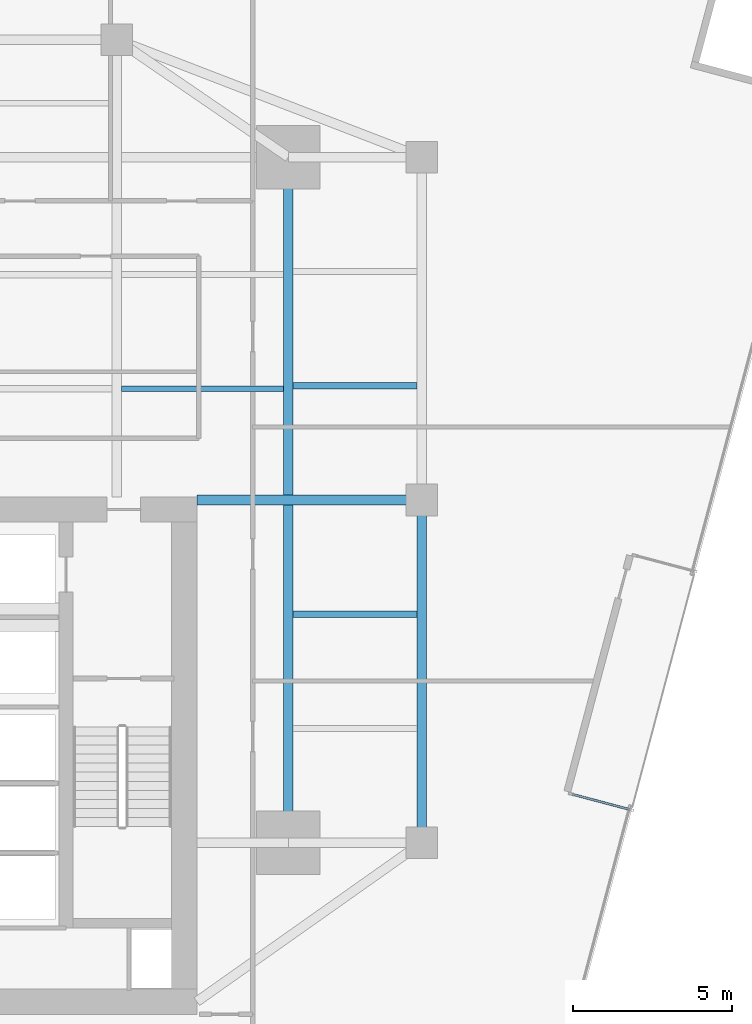
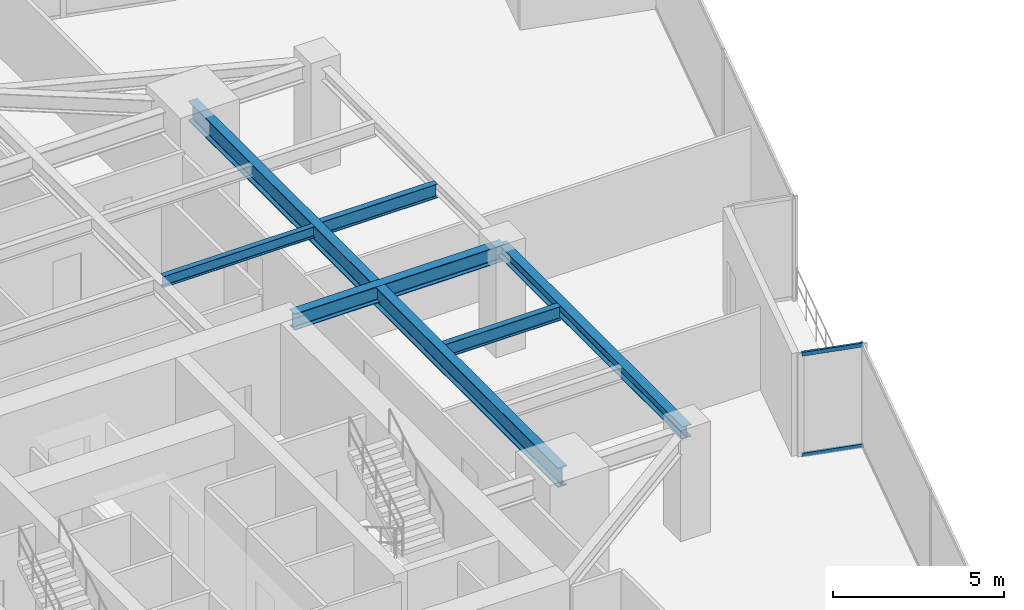
# One storey, part 12 of 27: 6 beams, 2 members, 1 element without a shape of its own.
"""IFC4 building model written with IfcOpenShell, lengths in metres."""

from ifc_helpers import new_model, si_unit, direction, frame, origin, origin_2d, place, context, subcontext, project, spatial, hollow_rectangle, i_section, extrude, source, transform, mapped, material, material_profile, profile_set, type_object, type_shapes, element, aggregate, save


model = new_model("IFC4")

# Units and contexts
model_context = context("Model", 3, precision=1e-05, world=origin(), true_north=direction((0.0, 1.0)))
body_context = subcontext(model_context, "Body", "Model", "MODEL_VIEW")
ifc_project = project(units=[si_unit("LENGTHUNIT", "METRE"), si_unit("AREAUNIT", "SQUARE_METRE"), si_unit("VOLUMEUNIT", "CUBIC_METRE"), si_unit("PLANEANGLEUNIT", "RADIAN"), si_unit("MASSUNIT", "GRAM", prefix="KILO")], contexts=[model_context])

# Site, building, storey
site_placement = place(None, origin())
site = spatial("IfcSite", under=ifc_project, at=site_placement, CompositionType="ELEMENT")
building_placement = place(site_placement, origin())
building = spatial("IfcBuilding", under=site, at=building_placement, Name="Krantzveldt Concourse Tower", CompositionType="ELEMENT")
storey_placement = place(building_placement, frame((0.0, 0.0, 97.949951171875)))
storey = spatial("IfcBuildingStorey", under=building, at=storey_placement, Name="L23", CompositionType="ELEMENT", Elevation=97.949951171875)

# Beams
ifc_material_1 = material(Name="Steel S355J2", Category="steel")
ifc_material_profile_1 = material_profile(ifc_material_1, i_section(OverallWidth=0.300048828125, OverallDepth=0.699951171875, WebThickness=0.01708984375, FlangeThickness=0.031982421875, FilletRadius=0.027099609375, at=origin_2d()), Name="Steel S355J2", Category="steel")
ifc_profile_set_1 = profile_set([ifc_material_profile_1], Name="Steel S355J2 - HEB 700")
beam_type_1 = type_object("IfcBeamType", Name="BM-B-HEB700", PredefinedType="BEAM", material=ifc_profile_set_1)
shared_shape_1 = source(origin(), body_context, "Body", "SweptSolid", [
    extrude(i_section(OverallWidth=0.300048828125, OverallDepth=0.699951171875, WebThickness=0.01708984375, FlangeThickness=0.031982421875, FilletRadius=0.027099609375, at=origin_2d()), origin(), (0.0, 0.0, 1.0), 21.60009765625),
])
type_shapes(beam_type_1, [shared_shape_1])
beam_1_placement = place(storey_placement, frame((46.800048828125, 15.89990234375, 3.320068359375), z_axis=(0.0, 1.0, 0.0), x_axis=(-1.0, 0.0, 0.0)))
element("IfcBeam", 1, at=beam_1_placement, inside=storey, type_object=beam_type_1, Name="L23 Tower Girder BG-ME", PredefinedType="BEAM", context=body_context, shape_type="MappedRepresentation", body=[
    mapped(shared_shape_1, transform((0.0, 0.0, 0.0), x_axis=(1.0, 0.0, 0.0), y_axis=(0.0, 1.0, 0.0), z_axis=(0.0, 0.0, 1.0), scale=1.0)),
])
ifc_material_2 = material(Name="Steel S355JR", Category="steel")
ifc_material_profile_2 = material_profile(ifc_material_2, i_section(OverallWidth=0.300048828125, OverallDepth=0.590087890625, WebThickness=0.012939453125, FlangeThickness=0.02490234375, FilletRadius=0.027099609375, at=origin_2d()), Name="Steel S355JR", Category="steel")
ifc_profile_set_2 = profile_set([ifc_material_profile_2], Name="Steel S355JR - HEA 600")
beam_type_2 = type_object("IfcBeamType", Name="BM-B-HEA600", PredefinedType="BEAM", material=ifc_profile_set_2)
shared_shape_2 = source(origin(), body_context, "Body", "SweptSolid", [
    extrude(i_section(OverallWidth=0.300048828125, OverallDepth=0.590087890625, WebThickness=0.012939453125, FlangeThickness=0.02490234375, FilletRadius=0.027099609375, at=origin_2d()), origin(), (0.0, 0.0, 1.0), 7.080078125),
])
type_shapes(beam_type_2, [shared_shape_2])
beam_2_placement = place(storey_placement, frame((43.919921875, 26.699951171875, 3.375), z_axis=(1.0, 0.0, 0.0), x_axis=(0.0, 1.0, 0.0)))
element("IfcBeam", 2, at=beam_2_placement, inside=storey, type_object=beam_type_2, Name="L23 Tower Girder BG-CE2", PredefinedType="BEAM", context=body_context, shape_type="MappedRepresentation", body=[
    mapped(shared_shape_2, transform((0.0, 0.0, 0.0), x_axis=(1.0, 0.0, 0.0), y_axis=(0.0, 1.0, 0.0), z_axis=(0.0, 0.0, 1.0), scale=1.0)),
])
ifc_material_profile_3 = material_profile(ifc_material_2, i_section(OverallWidth=0.300048828125, OverallDepth=0.43994140625, WebThickness=0.011474609375, FlangeThickness=0.02099609375, FilletRadius=0.027099609375, at=origin_2d()), Name="Steel S355JR", Category="steel")
ifc_profile_set_3 = profile_set([ifc_material_profile_3], Name="Steel S355JR - HEA 450")
beam_type_3 = type_object("IfcBeamType", Name="BM-SP-HEA450", PredefinedType="SPANDREL", material=ifc_profile_set_3)
shared_shape_3 = source(origin(), body_context, "Body", "SweptSolid", [
    extrude(i_section(OverallWidth=0.300048828125, OverallDepth=0.43994140625, WebThickness=0.011474609375, FlangeThickness=0.02099609375, FilletRadius=0.027099609375, at=origin_2d()), origin(), (0.0, 0.0, 1.0), 10.800048828125),
])
type_shapes(beam_type_3, [shared_shape_3])
beam_3_placement = place(storey_placement, frame((51.0, 26.699951171875, 3.449951171875), z_axis=(0.0, -1.0, 0.0), x_axis=(1.0, 0.0, 0.0)))
element("IfcBeam", 3, at=beam_3_placement, inside=storey, type_object=beam_type_3, Name="L23 Tower Girder SP-R07", PredefinedType="SPANDREL", context=body_context, shape_type="MappedRepresentation", body=[
    mapped(shared_shape_3, transform((0.0, 0.0, 0.0), x_axis=(1.0, 0.0, 0.0), y_axis=(0.0, 1.0, 0.0), z_axis=(0.0, 0.0, 1.0), scale=1.0)),
])
ifc_material_profile_4 = material_profile(ifc_material_2, i_section(OverallWidth=0.179931640625, OverallDepth=0.39990234375, WebThickness=0.008544921875, FlangeThickness=0.013427734375, FilletRadius=0.02099609375, at=origin_2d()), Name="Steel S355JR", Category="steel")
ifc_profile_set_4 = profile_set([ifc_material_profile_4], Name="Steel S355JR - IPE 400")
beam_type_4 = type_object("IfcBeamType", Name="BM-J-IPE400", PredefinedType="JOIST", material=ifc_profile_set_4)
shared_shape_4 = source(origin(), body_context, "Body", "SweptSolid", [
    extrude(i_section(OverallWidth=0.179931640625, OverallDepth=0.39990234375, WebThickness=0.008544921875, FlangeThickness=0.013427734375, FilletRadius=0.02099609375, at=origin_2d()), origin(), (0.0, 0.0, 1.0), 5.099853515625),
])
type_shapes(beam_type_4, [shared_shape_4])
beam_4_placement = place(storey_placement, frame((41.550048828125, 30.199951171875, 3.469970703125), z_axis=(1.0, 0.0, 0.0), x_axis=(0.0, 1.0, 0.0)))
element("IfcBeam", 4, at=beam_4_placement, inside=storey, type_object=beam_type_4, Name="L23 Secondary Floor Joist JN-E1", PredefinedType="JOIST", context=body_context, shape_type="MappedRepresentation", body=[
    mapped(shared_shape_4, transform((0.0, 0.0, 0.0), x_axis=(1.0, 0.0, 0.0), y_axis=(0.0, 1.0, 0.0), z_axis=(0.0, 0.0, 1.0), scale=1.0)),
])
ifc_material_profile_5 = material_profile(ifc_material_2, i_section(OverallWidth=0.199951171875, OverallDepth=0.5, WebThickness=0.01025390625, FlangeThickness=0.01611328125, FilletRadius=0.02099609375, at=origin_2d()), Name="Steel S355JR", Category="steel")
ifc_profile_set_5 = profile_set([ifc_material_profile_5], Name="Steel S355JR - IPE 500")
beam_type_5 = type_object("IfcBeamType", Name="BM-J-IPE500", PredefinedType="JOIST", material=ifc_profile_set_5)
shared_shape_5 = source(origin(), body_context, "Body", "SweptSolid", [
    extrude(i_section(OverallWidth=0.199951171875, OverallDepth=0.5, WebThickness=0.01025390625, FlangeThickness=0.01611328125, FilletRadius=0.02099609375, at=origin_2d()), origin(), (0.0, 0.0, 1.0), 3.900146484375),
])
type_shapes(beam_type_5, [shared_shape_5])
for number, where, z_axis, x_axis, name in (
    (5, (46.949951171875, 23.10009765625, 3.420166015625), (1.0, 0.0, 0.0), (0.0, 1.0, 0.0), "L23 Secondary Floor Joist JE-2"),
    (6, (46.949951171875, 30.300048828125, 3.420166015625), (1.0, 0.0, 0.0), (0.0, 1.0, 0.0), "L23 Secondary Floor Joist JE-3"),
):
    element("IfcBeam", number, at=place(storey_placement, frame(where, z_axis=z_axis, x_axis=x_axis)), inside=storey, type_object=beam_type_5, Name=name, PredefinedType="JOIST", context=body_context, shape_type="MappedRepresentation", body=[
        mapped(shared_shape_5, transform((0.0, 0.0, 0.0), x_axis=(1.0, 0.0, 0.0), y_axis=(0.0, 1.0, 0.0), z_axis=(0.0, 0.0, 1.0), scale=1.0)),
    ])

# Curtain wall, members
ifc_material_3 = material(Name="Anodised aluminium 6063-T6", Category="aluminium")
curtain_wall_type = type_object("IfcCurtainWallType", Name="CW6", PredefinedType="USERDEFINED", material=ifc_material_3)
curtain_wall_placement = place(storey_placement, origin())
curtain_wall = element("IfcCurtainWall", 7, at=curtain_wall_placement, inside=storey, type_object=curtain_wall_type, Name="CW-L23-TR08", ObjectType="UNITISED CURTAIN WALL", PredefinedType="USERDEFINED")
ifc_material_profile_6 = material_profile(ifc_material_3, hollow_rectangle(XDim=0.070068359375, YDim=0.139892578125, WallThickness=0.0048828125, at=origin_2d()), Name="Anodised aluminium 6063-T6", Category="aluminium")
ifc_profile_set_6 = profile_set([ifc_material_profile_6], Name="Anodised aluminium 6063-T6 - ALU-TRAN 140x70x5")
member_type = type_object("IfcMemberType", Name="CW-TRN-150", PredefinedType="USERDEFINED", material=ifc_profile_set_6)
shared_shape_6 = source(origin(), body_context, "Body", "SweptSolid", [
    extrude(hollow_rectangle(XDim=0.070068359375, YDim=0.139892578125, WallThickness=0.0048828125, at=origin_2d()), origin(), (0.0, 0.0, 1.0), 1.85986328125),
])
type_shapes(member_type, [shared_shape_6])
member_1_placement = place(storey_placement, frame((57.549560546875, 16.951171875, 0.03515625), z_axis=(-0.966478511145, 0.256747517018, 0.0), x_axis=(-0.256747517018, -0.966478511145, 0.0)))
member_1 = element("IfcMember", 8, at=member_1_placement, type_object=member_type, Name="CW-TERR transom 1.1", ObjectType="TRANSOM", PredefinedType="USERDEFINED", context=body_context, shape_type="MappedRepresentation", body=[
    mapped(shared_shape_6, transform((0.0, 0.0, 0.0), x_axis=(1.0, 0.0, 0.0), y_axis=(0.0, 1.0, 0.0), z_axis=(0.0, 0.0, 1.0), scale=1.0)),
])
member_2_placement = place(storey_placement, frame((57.549560546875, 16.951171875, 3.635009765625), z_axis=(-0.966478511145, 0.256747517018, 0.0), x_axis=(-0.256747517018, -0.966478511145, 0.0)))
member_2 = element("IfcMember", 9, at=member_2_placement, type_object=member_type, Name="CW-TERR transom 1.2", ObjectType="TRANSOM", PredefinedType="USERDEFINED", context=body_context, shape_type="MappedRepresentation", body=[
    mapped(shared_shape_6, transform((0.0, 0.0, 0.0), x_axis=(1.0, 0.0, 0.0), y_axis=(0.0, 1.0, 0.0), z_axis=(0.0, 0.0, 1.0), scale=1.0)),
])
aggregate(curtain_wall, [member_1, member_2])

save(model, "model.ifc")
